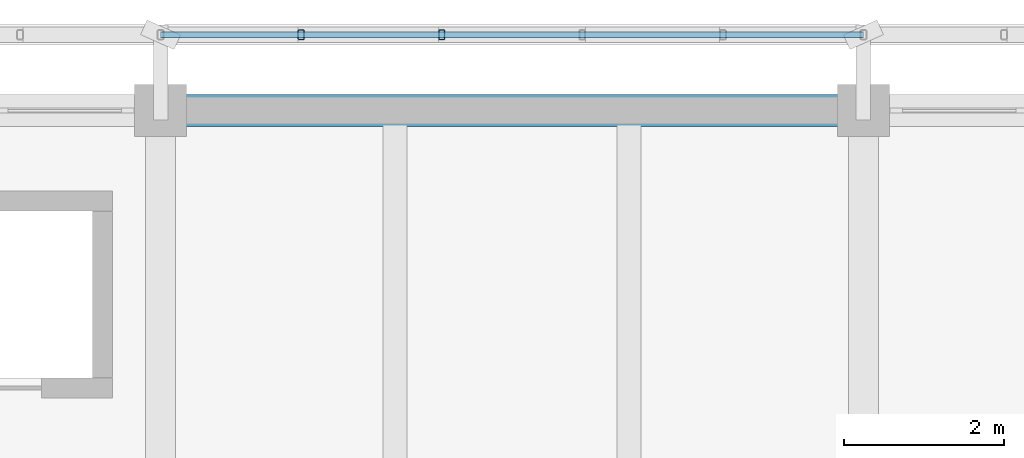
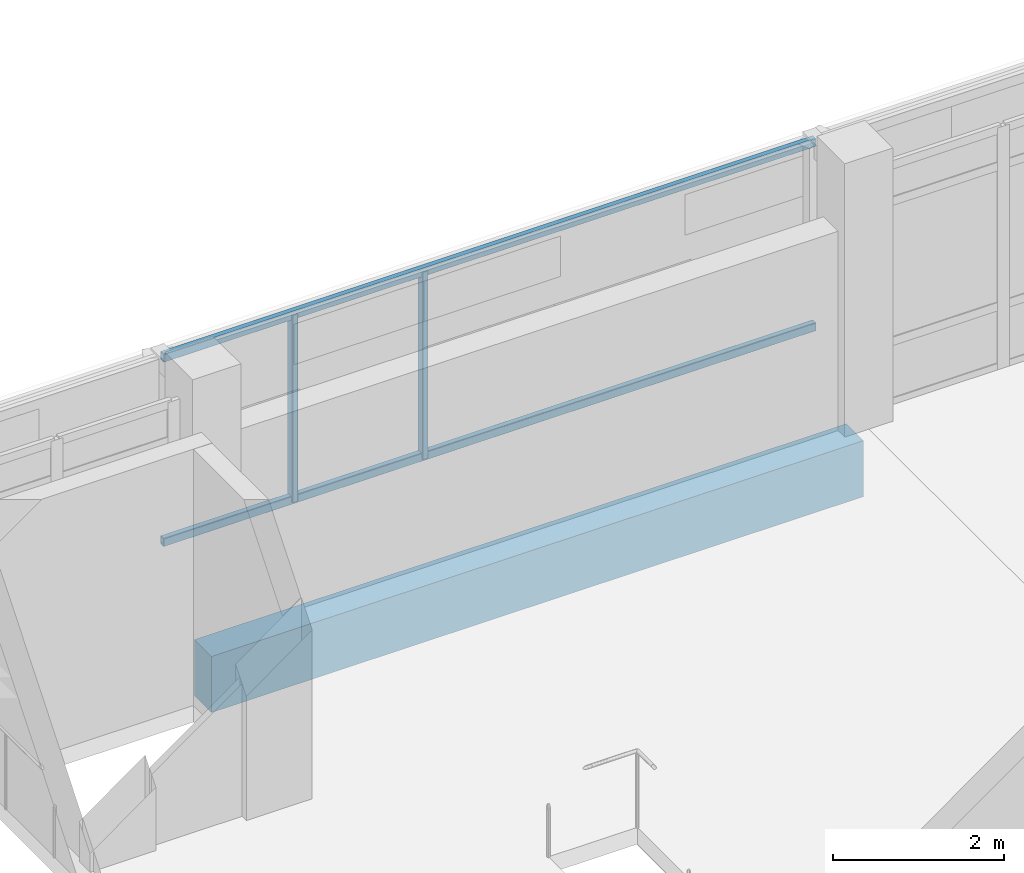
# One storey, part 64 of 117: 4 members, 1 beam.
"""IFC4 building model written with IfcOpenShell, lengths in metres."""

import ifcopenshell
import ifcopenshell.guid

model = None  # the IFC model being written
_history = None  # IfcOwnerHistory: only IFC2X3 demands one
_inside = {}  # id of a spatial element -> (the spatial element, [elements in it])
_under = {}  # id of a project, library or spatial element -> (it, [spatial elements below it])
_declared = {}  # id of a project -> (the project, [libraries it declares])
_typed = {}  # id of a type object -> (the type object, [elements of that type])
_made_of = {}  # id of a material, layer set ... -> (it, [elements and type objects made of it])


def new_model(schema):
    """Start an empty IFC model of exactly this schema.

    Asked for "IFC4X3", IfcOpenShell would pick the latest addendum, in which some entities
    have other attributes; the version numbers below select the first issue.
    IFC2X3 requires an IfcOwnerHistory on every rooted entity: one is made here for all.
    """
    global model, _history
    if schema == "IFC4X3":
        model = ifcopenshell.file(schema_version=(4, 3, 0, 0))
    else:
        model = ifcopenshell.file(schema=schema)
    _inside.clear()
    _under.clear()
    _declared.clear()
    _typed.clear()
    _made_of.clear()
    _history = None
    if model.schema == "IFC2X3":
        org = make("IfcOrganization", Name="unknown")
        user = make(
            "IfcPersonAndOrganization",
            ThePerson=make("IfcPerson", FamilyName="unknown"),
            TheOrganization=org,
        )
        app = make(
            "IfcApplication",
            ApplicationDeveloper=org,
            Version="unknown",
            ApplicationFullName="unknown",
            ApplicationIdentifier="unknown",
        )
        _history = make(
            "IfcOwnerHistory",
            OwningUser=user,
            OwningApplication=app,
            ChangeAction="ADDED",
            CreationDate=0,
        )
    return model


def make(cls, **values):
    """One entity of the class cls with the attributes given. An attribute that is None is left unset."""
    return model.create_entity(
        cls, **{name: value for name, value in values.items() if value is not None}
    )


def rooted(cls, **values):
    """An entity with a GlobalId (a new one), such as an element, a storey or a relation."""
    return make(cls, GlobalId=ifcopenshell.guid.new(), OwnerHistory=_history, **values)


def si_unit(unit_type, name, prefix=None):
    """IfcSIUnit, for example si_unit("LENGTHUNIT", "METRE", prefix="MILLI")."""
    return make("IfcSIUnit", UnitType=unit_type, Prefix=prefix, Name=name)


def assignment(units):
    """IfcUnitAssignment: the units of a project."""
    return None if units is None else make("IfcUnitAssignment", Units=units)


def point(xyz):
    """IfcCartesianPoint."""
    return None if xyz is None else make("IfcCartesianPoint", Coordinates=xyz)


def direction(xyz):
    """IfcDirection."""
    return None if xyz is None else make("IfcDirection", DirectionRatios=xyz)


def frame(location, z_axis=None, x_axis=None):
    """IfcAxis2Placement3D, a coordinate frame: its origin and axes. An axis left out is left unset."""
    return make(
        "IfcAxis2Placement3D",
        Location=point(location),
        Axis=direction(z_axis),
        RefDirection=direction(x_axis),
    )


def frame_2d(location, x_axis=None):
    """IfcAxis2Placement2D, a coordinate frame in the plane: its origin and x axis."""
    return make(
        "IfcAxis2Placement2D", Location=point(location), RefDirection=direction(x_axis)
    )


def origin():
    """The frame at (0, 0, 0) with its axes left unset."""
    return frame((0.0, 0.0, 0.0))


def origin_2d():
    """The frame at (0, 0) in the plane with its x axis left unset."""
    return frame_2d((0.0, 0.0))


def place(relative_to, where):
    """IfcLocalPlacement: puts the frame where relative to a parent placement (None: the world)."""
    return make(
        "IfcLocalPlacement", PlacementRelTo=relative_to, RelativePlacement=where
    )


def context(
    kind, dimensions, precision=None, world=None, true_north=None, identifier=None
):
    """IfcGeometricRepresentationContext, for example the 3D "Model" context."""
    return make(
        "IfcGeometricRepresentationContext",
        ContextIdentifier=identifier,
        ContextType=kind,
        CoordinateSpaceDimension=dimensions,
        Precision=precision,
        WorldCoordinateSystem=world,
        TrueNorth=true_north,
    )


def subcontext(parent, identifier, kind, view, scale=None):
    """IfcGeometricRepresentationSubContext, for example "Body" below "Model"."""
    return make(
        "IfcGeometricRepresentationSubContext",
        ContextIdentifier=identifier,
        ContextType=kind,
        ParentContext=parent,
        TargetScale=scale,
        TargetView=view,
    )


def project(units=None, contexts=None):
    """IfcProject with its units and contexts."""
    return rooted(
        "IfcProject",
        Name="project",
        RepresentationContexts=contexts,
        UnitsInContext=assignment(units),
    )


def spatial(cls, under=None, at=None, **own):
    """A site, building, storey or space (cls), placed at a placement, below another one or the project."""
    s = rooted(cls, ObjectPlacement=at, **own)
    if under is not None:
        _under.setdefault(under.id(), (under, []))[1].append(s)
    return s


def profile(cls, at=None, kind="AREA", **sizes):
    """A parametric profile (cls). Its sizes go by their IFC names, for example OverallWidth=200.0."""
    return make(cls, ProfileType=kind, Position=at, **sizes)


def rectangle(**sizes):
    """IfcRectangleProfileDef."""
    return profile("IfcRectangleProfileDef", **sizes)


def hollow_rectangle(**sizes):
    """IfcRectangleHollowProfileDef."""
    return profile("IfcRectangleHollowProfileDef", **sizes)


def extrude(swept, where, along, depth):
    """IfcExtrudedAreaSolid: the profile swept, set in the frame where, extruded along a direction by depth."""
    return make(
        "IfcExtrudedAreaSolid",
        SweptArea=swept,
        Position=where,
        ExtrudedDirection=direction(along),
        Depth=depth,
    )


def shape(context_of_items, identifier, shape_type, items):
    """IfcShapeRepresentation: the items that make up one representation, for example the "Body"."""
    return make(
        "IfcShapeRepresentation",
        ContextOfItems=context_of_items,
        RepresentationIdentifier=identifier,
        RepresentationType=shape_type,
        Items=items,
    )


def material(Name=None, Category=None):
    """IfcMaterial."""
    return make("IfcMaterial", Name=Name, Category=Category)


def material_profile(
    of_material, cross_section, Name=None, Category=None, Priority=None
):
    """IfcMaterialProfile: a cross section and its material."""
    return make(
        "IfcMaterialProfile",
        Name=Name,
        Material=of_material,
        Profile=cross_section,
        Priority=Priority,
        Category=Category,
    )


def profile_set(profiles, Name=None, composite=None):
    """IfcMaterialProfileSet."""
    return make(
        "IfcMaterialProfileSet",
        Name=Name,
        MaterialProfiles=profiles,
        CompositeProfile=composite,
    )


def made_of(thing, what):
    """Note that an element or type object is made of a material, layer set ...; save() writes the relation."""
    if what is not None:
        _made_of.setdefault(what.id(), (what, []))[1].append(thing)
    return thing


def type_object(cls, material=None, **own):
    """A type object (cls), such as IfcWallType, which elements share."""
    return made_of(rooted(cls, **own), material)


def element(
    cls,
    number,
    at=None,
    inside=None,
    cuts=None,
    type_object=None,
    material=None,
    context=None,
    identifier="Body",
    shape_type=None,
    held_by="IfcProductDefinitionShape",
    body=None,
    shapes=None,
    **own,
):
    """One element of the class cls, such as IfcWall. Its Tag is "e" and its number.

    at: its placement. inside: the storey or other place that contains it. cuts: it is an
    opening in that element (IfcRelVoidsElement). A single representation is given by context,
    identifier, shape_type and body (its items); several are given by shapes. held_by: the class
    of the entity that holds the representations. save() writes the other relations.
    """
    e = rooted(cls, Tag="e%d" % number, ObjectPlacement=at, **own)
    if body is not None:
        shapes = [shape(context, identifier, shape_type, body)]
    if shapes is not None:
        e.Representation = make(held_by, Representations=shapes)
    if inside is not None:
        _inside.setdefault(inside.id(), (inside, []))[1].append(e)
    if cuts is not None:
        rooted(
            "IfcRelVoidsElement", RelatingBuildingElement=cuts, RelatedOpeningElement=e
        )
    if type_object is not None:
        _typed.setdefault(type_object.id(), (type_object, []))[1].append(e)
    return made_of(e, material)


def aggregate(whole, parts):
    """IfcRelAggregates: a whole, such as a stair, and the parts it consists of."""
    return rooted("IfcRelAggregates", RelatingObject=whole, RelatedObjects=parts)


def save(model, path):
    """Write the relations noted so far, then the file.

    IfcRelAggregates (storeys below a building ...), IfcRelContainedInSpatialStructure (elements
    in a storey), IfcRelDefinesByType, IfcRelAssociatesMaterial and IfcRelDeclares: one each for
    every whole, place, type object, material and project.
    """
    for whole, parts in _under.values():
        aggregate(whole, parts)
    for where, things in _inside.values():
        rooted(
            "IfcRelContainedInSpatialStructure",
            RelatedElements=things,
            RelatingStructure=where,
        )
    for kind, things in _typed.values():
        rooted("IfcRelDefinesByType", RelatedObjects=things, RelatingType=kind)
    for what, things in _made_of.values():
        rooted("IfcRelAssociatesMaterial", RelatedObjects=things, RelatingMaterial=what)
    for by, libraries in _declared.values():
        rooted("IfcRelDeclares", RelatingContext=by, RelatedDefinitions=libraries)
    model.write(path)


model = new_model("IFC4")

# Units and contexts
model_context = context("Model", 3, precision=1e-05, world=origin(), true_north=direction((0.0, 1.0)))
body_context = subcontext(model_context, "Body", "Model", "MODEL_VIEW")
ifc_project = project(units=[si_unit("LENGTHUNIT", "METRE"), si_unit("AREAUNIT", "SQUARE_METRE"), si_unit("VOLUMEUNIT", "CUBIC_METRE"), si_unit("PLANEANGLEUNIT", "RADIAN"), si_unit("MASSUNIT", "GRAM", prefix="KILO")], contexts=[model_context])

# Site, building, storey
site_placement = place(None, origin())
site = spatial("IfcSite", under=ifc_project, at=site_placement, CompositionType="ELEMENT")
building_placement = place(site_placement, origin())
building = spatial("IfcBuilding", under=site, at=building_placement, Name="Cinderway Yard Community Centre", CompositionType="ELEMENT")
storey_placement = place(building_placement, frame((0.0, 0.0, 9.0)))
storey = spatial("IfcBuildingStorey", under=building, at=storey_placement, Name="L02", CompositionType="ELEMENT", Elevation=9.0)

# Members
ifc_material_1 = material(Name="Steel S355", Category="steel")
ifc_material_profile_1 = material_profile(ifc_material_1, hollow_rectangle(XDim=0.080078125, YDim=0.1201171875, WallThickness=0.00634765625, InnerFilletRadius=0.00634765625, OuterFilletRadius=0.0126953125, at=origin_2d()), Name="Steel S355")
ifc_profile_set_1 = profile_set([ifc_material_profile_1], Name="Steel S355")
member_type = type_object("IfcMemberType", Name="ENV-MEM-SCREEN-RAIL-120", PredefinedType="STRINGER", material=ifc_profile_set_1)
for number, where, z_axis, x_axis, name in (
    (1, (84.0, 116.14990234375, 0.7099609375), (1.0, 0.0, 0.0), (0.0, 1.0, 0.0), "Screen support rail 0139-BOT"),
    (2, (84.0, 116.14990234375, 3.340087890625), (1.0, 0.0, 0.0), (0.0, 1.0, 0.0), "Screen support rail 0140-TOP"),
):
    element("IfcMember", number, at=place(storey_placement, frame(where, z_axis=z_axis, x_axis=x_axis)), inside=storey, type_object=member_type, Name=name, PredefinedType="STRINGER", context=body_context, shape_type="SweptSolid", body=[
        extrude(hollow_rectangle(XDim=0.080078125, YDim=0.1201171875, WallThickness=0.00634765625, InnerFilletRadius=0.00634765625, OuterFilletRadius=0.0126953125, at=origin_2d()), origin(), (0.0, 0.0, 1.0), 8.800048828125),
    ])
for number, where, z_axis, x_axis, name in (
    (3, (85.760009765625, 116.14990234375, 0.68994140625), (0.0, 0.0, 1.0), (1.0, 0.0, 0.0), "Screen vertical mullion 0141"),
    (4, (87.52001953125, 116.14990234375, 0.68994140625), (0.0, 0.0, 1.0), (1.0, 0.0, 0.0), "Screen vertical mullion 0142"),
):
    element("IfcMember", number, at=place(storey_placement, frame(where, z_axis=z_axis, x_axis=x_axis)), inside=storey, type_object=member_type, Name=name, PredefinedType="STRINGER", context=body_context, shape_type="SweptSolid", body=[
        extrude(hollow_rectangle(XDim=0.080078125, YDim=0.1201171875, WallThickness=0.00634765625, InnerFilletRadius=0.00634765625, OuterFilletRadius=0.0126953125, at=origin_2d()), origin(), (0.0, 0.0, 1.0), 2.670166015625),
    ])

# Beam
ifc_material_2 = material(Name="Concrete C40/50", Category="concrete")
ifc_material_profile_2 = material_profile(ifc_material_2, rectangle(XDim=0.39990234375, YDim=0.800048828125, at=origin_2d()), Name="Concrete C40/50")
ifc_profile_set_2 = profile_set([ifc_material_profile_2], Name="Concrete C40/50")
beam_type = type_object("IfcBeamType", Name="STR-BM-RC400X800", PredefinedType="BEAM", material=ifc_profile_set_2)
beam_placement = place(storey_placement, frame((84.0, 115.199951171875, -0.639892578125), z_axis=(1.0, 0.0, 0.0), x_axis=(0.0, 1.0, 0.0)))
element("IfcBeam", 5, at=beam_placement, inside=storey, type_object=beam_type, Name="Primary girder STR-BM-L02-BG05-0537", PredefinedType="BEAM", context=body_context, shape_type="SweptSolid", body=[
    extrude(rectangle(XDim=0.39990234375, YDim=0.800048828125, at=origin_2d()), origin(), (0.0, 0.0, 1.0), 8.800048828125),
])

save(model, "model.ifc")
